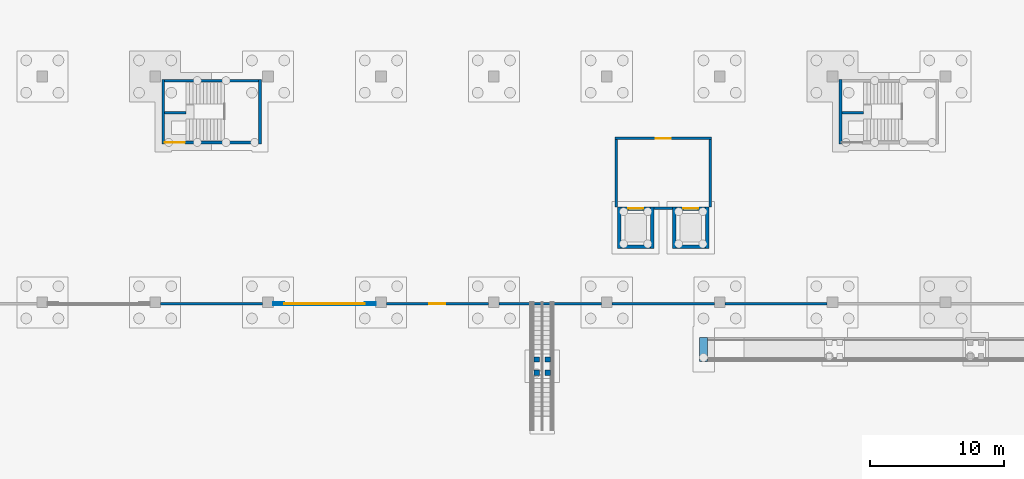
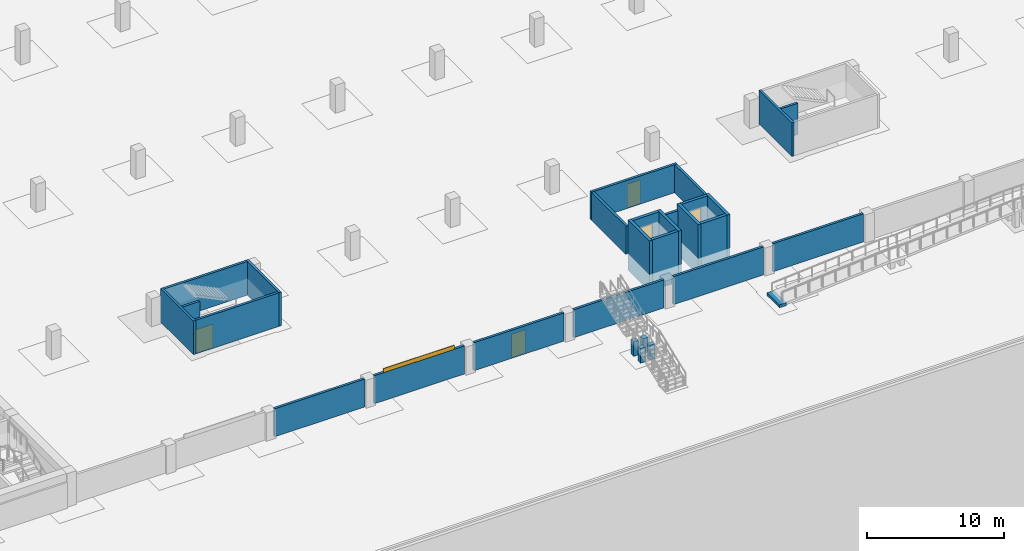
# One storey, part 36 of 67: 30 walls, 6 doors, 6 openings.
"""IFC4 building model written with IfcOpenShell, lengths in metres."""

from ifc_helpers import new_model, si_unit, direction, frame, frame_2d, origin, place, context, subcontext, project, spatial, rectangle, extrude, material, layer, layer_set, type_object, element, fill, save


model = new_model("IFC4")

# Units and contexts
model_context = context("Model", 3, precision=1e-05, world=origin(), true_north=direction((0.0, 1.0)))
body_context = subcontext(model_context, "Body", "Model", "MODEL_VIEW")
ifc_project = project(units=[si_unit("LENGTHUNIT", "METRE"), si_unit("AREAUNIT", "SQUARE_METRE"), si_unit("VOLUMEUNIT", "CUBIC_METRE"), si_unit("PLANEANGLEUNIT", "RADIAN"), si_unit("MASSUNIT", "GRAM", prefix="KILO")], contexts=[model_context])

# Site, building, storey
site_placement = place(None, origin())
site = spatial("IfcSite", under=ifc_project, at=site_placement, CompositionType="ELEMENT")
building_placement = place(site_placement, origin())
building = spatial("IfcBuilding", under=site, at=building_placement, Name="Rain Tree Exposition and Congress Centre", CompositionType="ELEMENT")
storey_placement = place(building_placement, frame((0.0, 0.0, -3.0)))
storey = spatial("IfcBuildingStorey", under=building, at=storey_placement, Name="B1", CompositionType="ELEMENT", Elevation=-3.0)

# Walls
ifc_material_1 = material(Name="Concrete C40/50", Category="concrete")
ifc_layer_1 = layer(ifc_material_1, 0.199951171875)
ifc_layer_set_1 = layer_set([ifc_layer_1], Name="Concrete C40/50")
wall_type_1 = type_object("IfcWallType", Name="Exit stair wall 200", PredefinedType="PARTITIONING", material=ifc_layer_set_1)
for number, where, z_axis, x_axis, name in (
    (1, (67.800048828125, 11.800048828125, 0.0), (0.0, 0.0, 1.0), (0.0, 1.0, 0.0), "Exit stair E1 wall west"),
    (2, (75.0, 11.800048828125, 0.0), (0.0, 0.0, 1.0), (0.0, 1.0, 0.0), "Exit stair E1 wall east"),
):
    element("IfcWall", number, at=place(storey_placement, frame(where, z_axis=z_axis, x_axis=x_axis)), inside=storey, type_object=wall_type_1, Name=name, PredefinedType="SOLIDWALL", context=body_context, shape_type="SweptSolid", body=[
        extrude(rectangle(XDim=4.800048828125, YDim=0.199951171875, at=frame_2d((2.39990234375, 0.0))), origin(), (0.0, 0.0, 1.0), 3.0),
    ])

# Wall, opening, door
wall_1_placement = place(storey_placement, frame((67.89990234375, 11.89990234375, 0.0), z_axis=(0.0, 0.0, 1.0), x_axis=(1.0, 0.0, 0.0)))
wall_1 = element("IfcWall", 3, at=wall_1_placement, inside=storey, type_object=wall_type_1, Name="Exit stair E1 wall south", PredefinedType="SOLIDWALL", context=body_context, shape_type="SweptSolid", body=[
    extrude(rectangle(XDim=7.0, YDim=0.199951171875, at=frame_2d((3.5, 0.0))), origin(), (0.0, 0.0, 1.0), 3.0),
])
opening_1_placement = place(wall_1_placement, origin())
opening_1 = element("IfcOpeningElement", 4, at=opening_1_placement, cuts=wall_1, Name="Opening DS129", PredefinedType="OPENING", context=body_context, shape_type="SweptSolid", body=[
    extrude(rectangle(XDim=1.5, YDim=2.10009765625, at=frame_2d((0.75, 1.050048828125))), frame((0.0, 0.10009765625, 0.0), z_axis=(0.0, -1.0, 0.0), x_axis=(1.0, 0.0, 0.0)), (0.0, 0.0, 1.0), 0.199951171875),
])
ifc_material_2 = material(Name="Powder-coated steel", Category="steel")
door_type_1 = type_object("IfcDoorType", Name="Exit stair door 1500x2100", OperationType="NOTDEFINED", PredefinedType="DOOR", material=ifc_material_2)
door_1_placement = place(opening_1_placement, origin())
door_1 = element("IfcDoor", 5, at=door_1_placement, inside=storey, type_object=door_type_1, Name="Exit stair E1 door B1", OperationType="SINGLE_SWING_LEFT", OverallHeight=2.10009765625, OverallWidth=1.5, PredefinedType="DOOR", context=body_context, shape_type="SweptSolid", body=[
    extrude(rectangle(XDim=1.5, YDim=2.10009765625, at=frame_2d((0.75, 1.050048828125))), frame((0.0, 0.02490234375, 0.0), z_axis=(0.0, -1.0, 0.0), x_axis=(1.0, 0.0, 0.0)), (0.0, 0.0, 1.0), 0.050048828125),
])
fill(opening_1, door_1)

# Walls
wall_2_placement = place(storey_placement, frame((67.89990234375, 16.5, 0.0), z_axis=(0.0, 0.0, 1.0), x_axis=(1.0, 0.0, 0.0)))
element("IfcWall", 6, at=wall_2_placement, inside=storey, type_object=wall_type_1, Name="Exit stair E1 wall north", PredefinedType="SOLIDWALL", context=body_context, shape_type="SweptSolid", body=[
    extrude(rectangle(XDim=7.0, YDim=0.199951171875, at=frame_2d((3.5, 0.0))), origin(), (0.0, 0.0, 1.0), 3.0),
])
wall_3_placement = place(storey_placement, frame((67.89990234375, 14.10009765625, 0.0), z_axis=(0.0, 0.0, 1.0), x_axis=(1.0, 0.0, 0.0)))
element("IfcWall", 7, at=wall_3_placement, inside=storey, type_object=wall_type_1, Name="Exit stair E1 landing support", PredefinedType="SOLIDWALL", context=body_context, shape_type="SweptSolid", body=[
    extrude(rectangle(XDim=1.60009765625, YDim=0.199951171875, at=frame_2d((0.800048828125, 0.0))), origin(), (0.0, 0.0, 1.0), 2.800048828125),
])
wall_4_placement = place(storey_placement, frame((118.199951171875, 11.800048828125, 0.0), z_axis=(0.0, 0.0, 1.0), x_axis=(0.0, 1.0, 0.0)))
element("IfcWall", 8, at=wall_4_placement, inside=storey, type_object=wall_type_1, Name="Exit stair E2 wall west", PredefinedType="SOLIDWALL", context=body_context, shape_type="SweptSolid", body=[
    extrude(rectangle(XDim=4.800048828125, YDim=0.199951171875, at=frame_2d((2.39990234375, 0.0))), origin(), (0.0, 0.0, 1.0), 3.0),
])
wall_5_placement = place(storey_placement, frame((118.300048828125, 14.10009765625, 0.0), z_axis=(0.0, 0.0, 1.0), x_axis=(1.0, 0.0, 0.0)))
element("IfcWall", 9, at=wall_5_placement, inside=storey, type_object=wall_type_1, Name="Exit stair E2 landing support", PredefinedType="SOLIDWALL", context=body_context, shape_type="SweptSolid", body=[
    extrude(rectangle(XDim=1.599853515625, YDim=0.199951171875, at=frame_2d((0.7998046875, 0.0))), origin(), (0.0, 0.0, 1.0), 2.800048828125),
])
ifc_material_3 = material(Name="Concrete C40/50", Category="concrete")
ifc_layer_2 = layer(ifc_material_3, 0.25)
ifc_layer_set_2 = layer_set([ifc_layer_2], Name="Concrete C40/50")
wall_type_2 = type_object("IfcWallType", Name="Lift shaft wall 250", PredefinedType="SHEAR", material=ifc_layer_set_2)
for number, where, z_axis, x_axis, name in (
    (10, (101.72509765625, 4.0, -1.5), (0.0, 0.0, 1.0), (0.0, 1.0, 0.0), "Lift S1 shaft wall west"),
    (11, (104.175048828125, 4.0, -1.5), (0.0, 0.0, 1.0), (0.0, 1.0, 0.0), "Lift S1 shaft wall east"),
):
    element("IfcWall", number, at=place(storey_placement, frame(where, z_axis=z_axis, x_axis=x_axis)), inside=storey, type_object=wall_type_2, Name=name, PredefinedType="SHEAR", context=body_context, shape_type="SweptSolid", body=[
        extrude(rectangle(XDim=3.10009765625, YDim=0.25, at=frame_2d((1.550048828125, 0.0))), origin(), (0.0, 0.0, 1.0), 4.5),
    ])
wall_6_placement = place(storey_placement, frame((101.85009765625, 4.125, -1.5), z_axis=(0.0, 0.0, 1.0), x_axis=(1.0, 0.0, 0.0)))
element("IfcWall", 12, at=wall_6_placement, inside=storey, type_object=wall_type_2, Name="Lift S1 shaft wall south", PredefinedType="SHEAR", context=body_context, shape_type="SweptSolid", body=[
    extrude(rectangle(XDim=2.199951171875, YDim=0.25, at=frame_2d((1.10009765625, 0.0))), origin(), (0.0, 0.0, 1.0), 4.5),
])

# Wall, opening, door
wall_7_placement = place(storey_placement, frame((101.85009765625, 6.97509765625, -1.5), z_axis=(0.0, 0.0, 1.0), x_axis=(1.0, 0.0, 0.0)))
wall_7 = element("IfcWall", 13, at=wall_7_placement, inside=storey, type_object=wall_type_2, Name="Lift S1 shaft wall north", PredefinedType="SHEAR", context=body_context, shape_type="SweptSolid", body=[
    extrude(rectangle(XDim=2.199951171875, YDim=0.25, at=frame_2d((1.10009765625, 0.0))), origin(), (0.0, 0.0, 1.0), 4.5),
])
opening_2_placement = place(wall_7_placement, frame((0.550048828125, 0.0, 1.5)))
opening_2 = element("IfcOpeningElement", 14, at=opening_2_placement, cuts=wall_7, Name="Opening DS101", PredefinedType="OPENING", context=body_context, shape_type="SweptSolid", body=[
    extrude(rectangle(XDim=1.10009765625, YDim=2.10009765625, at=frame_2d((0.550048828125, 1.050048828125))), frame((0.0, 0.125, 0.0), z_axis=(0.0, -1.0, 0.0), x_axis=(1.0, 0.0, 0.0)), (0.0, 0.0, 1.0), 0.25),
])
ifc_material_4 = material(Name="Stainless steel", Category="steel")
door_type_2 = type_object("IfcDoorType", Name="Lift landing door 1100x2100", OperationType="DOUBLE_DOOR_SLIDING", PredefinedType="DOOR", material=ifc_material_4)
door_2_placement = place(opening_2_placement, origin())
door_2 = element("IfcDoor", 15, at=door_2_placement, inside=storey, type_object=door_type_2, Name="Landing door S1 B1", OperationType="DOUBLE_DOOR_SLIDING", OverallHeight=2.10009765625, OverallWidth=1.10009765625, PredefinedType="DOOR", context=body_context, shape_type="SweptSolid", body=[
    extrude(rectangle(XDim=1.10009765625, YDim=2.10009765625, at=frame_2d((0.550048828125, 1.050048828125))), frame((0.0, 0.02490234375, 0.0), z_axis=(0.0, -1.0, 0.0), x_axis=(1.0, 0.0, 0.0)), (0.0, 0.0, 1.0), 0.050048828125),
])
fill(opening_2, door_2)

# Walls
for number, where, z_axis, x_axis, name in (
    (16, (105.824951171875, 4.0, -1.5), (0.0, 0.0, 1.0), (0.0, 1.0, 0.0), "Lift S2 shaft wall west"),
    (17, (108.27490234375, 4.0, -1.5), (0.0, 0.0, 1.0), (0.0, 1.0, 0.0), "Lift S2 shaft wall east"),
):
    element("IfcWall", number, at=place(storey_placement, frame(where, z_axis=z_axis, x_axis=x_axis)), inside=storey, type_object=wall_type_2, Name=name, PredefinedType="SHEAR", context=body_context, shape_type="SweptSolid", body=[
        extrude(rectangle(XDim=3.10009765625, YDim=0.25, at=frame_2d((1.550048828125, 0.0))), origin(), (0.0, 0.0, 1.0), 4.5),
    ])
wall_8_placement = place(storey_placement, frame((105.949951171875, 4.125, -1.5), z_axis=(0.0, 0.0, 1.0), x_axis=(1.0, 0.0, 0.0)))
element("IfcWall", 18, at=wall_8_placement, inside=storey, type_object=wall_type_2, Name="Lift S2 shaft wall south", PredefinedType="SHEAR", context=body_context, shape_type="SweptSolid", body=[
    extrude(rectangle(XDim=2.199951171875, YDim=0.25, at=frame_2d((1.10009765625, 0.0))), origin(), (0.0, 0.0, 1.0), 4.5),
])

# Wall, opening, door
wall_9_placement = place(storey_placement, frame((105.949951171875, 6.97509765625, -1.5), z_axis=(0.0, 0.0, 1.0), x_axis=(1.0, 0.0, 0.0)))
wall_9 = element("IfcWall", 19, at=wall_9_placement, inside=storey, type_object=wall_type_2, Name="Lift S2 shaft wall north", PredefinedType="SHEAR", context=body_context, shape_type="SweptSolid", body=[
    extrude(rectangle(XDim=2.199951171875, YDim=0.25, at=frame_2d((1.10009765625, 0.0))), origin(), (0.0, 0.0, 1.0), 4.5),
])
opening_3_placement = place(wall_9_placement, frame((0.550048828125, 0.0, 1.5)))
opening_3 = element("IfcOpeningElement", 20, at=opening_3_placement, cuts=wall_9, Name="Opening DS103", PredefinedType="OPENING", context=body_context, shape_type="SweptSolid", body=[
    extrude(rectangle(XDim=1.10009765625, YDim=2.10009765625, at=frame_2d((0.550048828125, 1.050048828125))), frame((0.0, 0.125, 0.0), z_axis=(0.0, -1.0, 0.0), x_axis=(1.0, 0.0, 0.0)), (0.0, 0.0, 1.0), 0.25),
])
door_3_placement = place(opening_3_placement, origin())
door_3 = element("IfcDoor", 21, at=door_3_placement, inside=storey, type_object=door_type_2, Name="Landing door S2 B1", OperationType="DOUBLE_DOOR_SLIDING", OverallHeight=2.10009765625, OverallWidth=1.10009765625, PredefinedType="DOOR", context=body_context, shape_type="SweptSolid", body=[
    extrude(rectangle(XDim=1.10009765625, YDim=2.10009765625, at=frame_2d((0.550048828125, 1.050048828125))), frame((0.0, 0.02490234375, 0.0), z_axis=(0.0, -1.0, 0.0), x_axis=(1.0, 0.0, 0.0)), (0.0, 0.0, 1.0), 0.050048828125),
])
fill(opening_3, door_3)

# Walls
ifc_material_5 = material(Name="Concrete C40/50", Category="concrete")
ifc_layer_3 = layer(ifc_material_5, 0.199951171875)
ifc_layer_set_3 = layer_set([ifc_layer_3], Name="Concrete C40/50")
wall_type_3 = type_object("IfcWallType", Name="Lobby wall 200", PredefinedType="PARTITIONING", material=ifc_layer_set_3)
for number, where, z_axis, x_axis, name in (
    (22, (101.5, 7.10009765625, 0.0), (0.0, 0.0, 1.0), (0.0, 1.0, 0.0), "Lift lobby wall west"),
    (23, (108.5, 7.10009765625, 0.0), (0.0, 0.0, 1.0), (0.0, 1.0, 0.0), "Lift lobby wall east"),
):
    element("IfcWall", number, at=place(storey_placement, frame(where, z_axis=z_axis, x_axis=x_axis)), inside=storey, type_object=wall_type_3, Name=name, PredefinedType="PARTITIONING", context=body_context, shape_type="SweptSolid", body=[
        extrude(rectangle(XDim=5.0, YDim=0.199951171875, at=frame_2d((2.5, 0.0))), origin(), (0.0, 0.0, 1.0), 2.5),
    ])

# Wall, opening, door
wall_10_placement = place(storey_placement, frame((101.39990234375, 12.199951171875, 0.0), z_axis=(0.0, 0.0, 1.0), x_axis=(1.0, 0.0, 0.0)))
wall_10 = element("IfcWall", 24, at=wall_10_placement, inside=storey, type_object=wall_type_3, Name="Lift lobby wall north", PredefinedType="PARTITIONING", context=body_context, shape_type="SweptSolid", body=[
    extrude(rectangle(XDim=7.2001953125, YDim=0.199951171875, at=frame_2d((3.60009765625, 0.0))), origin(), (0.0, 0.0, 1.0), 2.5),
])
opening_4_placement = place(wall_10_placement, frame((3.050048828125, 0.0, 0.0)))
opening_4 = element("IfcOpeningElement", 25, at=opening_4_placement, cuts=wall_10, Name="Opening DS109", PredefinedType="OPENING", context=body_context, shape_type="SweptSolid", body=[
    extrude(rectangle(XDim=1.10009765625, YDim=2.10009765625, at=frame_2d((0.550048828125, 1.050048828125))), frame((0.0, 0.10009765625, 0.0), z_axis=(0.0, -1.0, 0.0), x_axis=(1.0, 0.0, 0.0)), (0.0, 0.0, 1.0), 0.199951171875),
])
ifc_material_6 = material(Name="Powder-coated steel", Category="steel")
door_type_3 = type_object("IfcDoorType", Name="Fire door 1100x2100", OperationType="NOTDEFINED", PredefinedType="DOOR", material=ifc_material_6)
door_4_placement = place(opening_4_placement, origin())
door_4 = element("IfcDoor", 26, at=door_4_placement, inside=storey, type_object=door_type_3, Name="Lift lobby door", OperationType="SINGLE_SWING_LEFT", OverallHeight=2.10009765625, OverallWidth=1.10009765625, PredefinedType="DOOR", context=body_context, shape_type="SweptSolid", body=[
    extrude(rectangle(XDim=1.10009765625, YDim=2.10009765625, at=frame_2d((0.550048828125, 1.050048828125))), frame((0.0, 0.02490234375, 0.0), z_axis=(0.0, -1.0, 0.0), x_axis=(1.0, 0.0, 0.0)), (0.0, 0.0, 1.0), 0.050048828125),
])
fill(opening_4, door_4)

# Walls
wall_11_placement = place(storey_placement, frame((104.300048828125, 7.0, 0.0), z_axis=(0.0, 0.0, 1.0), x_axis=(1.0, 0.0, 0.0)))
element("IfcWall", 27, at=wall_11_placement, inside=storey, type_object=wall_type_3, Name="Lift lobby wall between shafts", PredefinedType="PARTITIONING", context=body_context, shape_type="SweptSolid", body=[
    extrude(rectangle(XDim=1.39990234375, YDim=0.199951171875, at=frame_2d((0.699951171875, 0.0))), origin(), (0.0, 0.0, 1.0), 2.5),
])
ifc_material_7 = material(Name="Precast concrete C40/50", Category="concrete")
ifc_layer_4 = layer(ifc_material_7, 0.199951171875)
ifc_layer_set_4 = layer_set([ifc_layer_4], Name="Precast concrete C40/50")
wall_type_4 = type_object("IfcWallType", Name="Louvred precast panel 200", PredefinedType="SOLIDWALL", material=ifc_layer_set_4)
wall_12_placement = place(storey_placement, frame((67.60009765625, -0.10009765625, 0.0), z_axis=(0.0, 0.0, 1.0), x_axis=(1.0, 0.0, 0.0)))
element("IfcWall", 28, at=wall_12_placement, inside=storey, type_object=wall_type_4, Name="Car park louvre panel 3", PredefinedType="SOLIDWALL", context=body_context, shape_type="SweptSolid", body=[
    extrude(rectangle(XDim=7.599853515625, YDim=0.199951171875, at=frame_2d((3.7998046875, 0.0))), origin(), (0.0, 0.0, 1.0), 2.5),
])

# Wall, opening, door
wall_13_placement = place(storey_placement, frame((76.0, -0.10009765625, 0.0), z_axis=(0.0, 0.0, 1.0), x_axis=(1.0, 0.0, 0.0)))
wall_13 = element("IfcWall", 29, at=wall_13_placement, inside=storey, type_object=wall_type_4, Name="Car park louvre panel 4", PredefinedType="SOLIDWALL", context=body_context, shape_type="SweptSolid", body=[
    extrude(rectangle(XDim=7.60009765625, YDim=0.199951171875, at=frame_2d((3.800048828125, 0.0))), origin(), (0.0, 0.0, 1.0), 2.5),
])
opening_5_placement = place(wall_13_placement, frame((0.800048828125, 0.0, 0.0)))
opening_5 = element("IfcOpeningElement", 30, at=opening_5_placement, cuts=wall_13, Name="Opening DS107", PredefinedType="OPENING", context=body_context, shape_type="SweptSolid", body=[
    extrude(rectangle(XDim=6.0, YDim=2.800048828125, at=frame_2d((3.0, 1.39990234375))), frame((0.0, 0.10009765625, 0.0), z_axis=(0.0, -1.0, 0.0), x_axis=(1.0, 0.0, 0.0)), (0.0, 0.0, 1.0), 0.199951171875),
])
ifc_material_8 = material(Name="Powder-coated steel", Category="steel")
door_type_4 = type_object("IfcDoorType", Name="Vehicle roller gate 6000x2800", OperationType="SLIDING_TO_LEFT", PredefinedType="GATE", material=ifc_material_8)
door_5_placement = place(opening_5_placement, origin())
door_5 = element("IfcDoor", 31, at=door_5_placement, inside=storey, type_object=door_type_4, Name="Vehicle gate 4", OperationType="SLIDING_TO_LEFT", OverallHeight=2.800048828125, OverallWidth=6.0, PredefinedType="GATE", context=body_context, shape_type="SweptSolid", body=[
    extrude(rectangle(XDim=6.0, YDim=2.800048828125, at=frame_2d((3.0, 1.39990234375))), frame((0.0, 0.02490234375, 0.0), z_axis=(0.0, -1.0, 0.0), x_axis=(1.0, 0.0, 0.0)), (0.0, 0.0, 1.0), 0.050048828125),
])
fill(opening_5, door_5)

wall_14_placement = place(storey_placement, frame((84.39990234375, -0.10009765625, 0.0), z_axis=(0.0, 0.0, 1.0), x_axis=(1.0, 0.0, 0.0)))
wall_14 = element("IfcWall", 32, at=wall_14_placement, inside=storey, type_object=wall_type_4, Name="Car park louvre panel 5", PredefinedType="SOLIDWALL", context=body_context, shape_type="SweptSolid", body=[
    extrude(rectangle(XDim=7.60009765625, YDim=0.199951171875, at=frame_2d((3.800048828125, 0.0))), origin(), (0.0, 0.0, 1.0), 2.5),
])
opening_6_placement = place(wall_14_placement, frame((3.199951171875, 0.0, 0.0)))
opening_6 = element("IfcOpeningElement", 33, at=opening_6_placement, cuts=wall_14, Name="Opening DS108", PredefinedType="OPENING", context=body_context, shape_type="SweptSolid", body=[
    extrude(rectangle(XDim=1.199951171875, YDim=2.10009765625, at=frame_2d((0.60009765625, 1.050048828125))), frame((0.0, 0.10009765625, 0.0), z_axis=(0.0, -1.0, 0.0), x_axis=(1.0, 0.0, 0.0)), (0.0, 0.0, 1.0), 0.199951171875),
])
ifc_material_9 = material(Name="Powder-coated steel", Category="steel")
door_type_5 = type_object("IfcDoorType", Name="Car park pedestrian door 1200x2100", OperationType="NOTDEFINED", PredefinedType="DOOR", material=ifc_material_9)
door_6_placement = place(opening_6_placement, origin())
door_6 = element("IfcDoor", 34, at=door_6_placement, inside=storey, type_object=door_type_5, Name="Pedestrian door 5", OperationType="SINGLE_SWING_LEFT", OverallHeight=2.10009765625, OverallWidth=1.199951171875, PredefinedType="DOOR", context=body_context, shape_type="SweptSolid", body=[
    extrude(rectangle(XDim=1.199951171875, YDim=2.10009765625, at=frame_2d((0.60009765625, 1.050048828125))), frame((0.0, 0.02490234375, 0.0), z_axis=(0.0, -1.0, 0.0), x_axis=(1.0, 0.0, 0.0)), (0.0, 0.0, 1.0), 0.050048828125),
])
fill(opening_6, door_6)

# Walls
wall_15_placement = place(storey_placement, frame((92.800048828125, -0.10009765625, 0.0), z_axis=(0.0, 0.0, 1.0), x_axis=(1.0, 0.0, 0.0)))
element("IfcWall", 35, at=wall_15_placement, inside=storey, type_object=wall_type_4, Name="Car park louvre panel 6", PredefinedType="SOLIDWALL", context=body_context, shape_type="SweptSolid", body=[
    extrude(rectangle(XDim=7.599853515625, YDim=0.199951171875, at=frame_2d((3.7998046875, 0.0))), origin(), (0.0, 0.0, 1.0), 2.5),
])
wall_16_placement = place(storey_placement, frame((101.199951171875, -0.10009765625, 0.0), z_axis=(0.0, 0.0, 1.0), x_axis=(1.0, 0.0, 0.0)))
element("IfcWall", 36, at=wall_16_placement, inside=storey, type_object=wall_type_4, Name="Car park louvre panel 7", PredefinedType="SOLIDWALL", context=body_context, shape_type="SweptSolid", body=[
    extrude(rectangle(XDim=7.60009765625, YDim=0.199951171875, at=frame_2d((3.800048828125, 0.0))), origin(), (0.0, 0.0, 1.0), 2.5),
])
wall_17_placement = place(storey_placement, frame((109.60009765625, -0.10009765625, 0.0), z_axis=(0.0, 0.0, 1.0), x_axis=(1.0, 0.0, 0.0)))
element("IfcWall", 37, at=wall_17_placement, inside=storey, type_object=wall_type_4, Name="Car park louvre panel 8", PredefinedType="SOLIDWALL", context=body_context, shape_type="SweptSolid", body=[
    extrude(rectangle(XDim=7.599853515625, YDim=0.199951171875, at=frame_2d((3.7998046875, 0.0))), origin(), (0.0, 0.0, 1.0), 2.5),
])
ifc_material_10 = material(Name="Concrete C40/50", Category="concrete")
ifc_layer_5 = layer(ifc_material_10, 0.60009765625)
ifc_layer_set_5 = layer_set([ifc_layer_5], Name="Concrete C40/50")
wall_type_5 = type_object("IfcWallType", Name="Ramp starting kerb 600", PredefinedType="SOLIDWALL", material=ifc_layer_set_5)
wall_18_placement = place(storey_placement, frame((108.0, -4.39990234375, 0.0), z_axis=(0.0, 0.0, 1.0), x_axis=(0.0, 1.0, 0.0)))
element("IfcWall", 38, at=wall_18_placement, inside=storey, type_object=wall_type_5, Name="Ramp starting kerb", PredefinedType="SOLIDWALL", context=body_context, shape_type="SweptSolid", body=[
    extrude(rectangle(XDim=1.7998046875, YDim=0.60009765625, at=frame_2d((0.89990234375, 0.0))), origin(), (0.0, 0.0, 1.0), 0.260009765625),
])
ifc_material_11 = material(Name="Concrete C40/50", Category="concrete")
ifc_layer_6 = layer(ifc_material_11, 0.39990234375)
ifc_layer_set_6 = layer_set([ifc_layer_6], Name="Concrete C40/50")
wall_type_6 = type_object("IfcWallType", Name="Stair support wall 400", PredefinedType="SOLIDWALL", material=ifc_layer_set_6)
for number, where, z_axis, x_axis, name in (
    (39, (95.39990234375, -5.25, 0.0), (0.0, 0.0, 1.0), (1.0, 0.0, 0.0), "Stair landing support 1"),
    (40, (96.199951171875, -5.25, 0.0), (0.0, 0.0, 1.0), (1.0, 0.0, 0.0), "Stair landing support 2"),
    (41, (95.39990234375, -4.25, 0.0), (0.0, 0.0, 1.0), (1.0, 0.0, 0.0), "Stair landing support 3"),
    (42, (96.199951171875, -4.25, 0.0), (0.0, 0.0, 1.0), (1.0, 0.0, 0.0), "Stair landing support 4"),
):
    element("IfcWall", number, at=place(storey_placement, frame(where, z_axis=z_axis, x_axis=x_axis)), inside=storey, type_object=wall_type_6, Name=name, PredefinedType="SOLIDWALL", context=body_context, shape_type="SweptSolid", body=[
        extrude(rectangle(XDim=0.400146484375, YDim=0.39990234375, at=frame_2d((0.2001953125, 0.0))), origin(), (0.0, 0.0, 1.0), 1.300048828125),
    ])

save(model, "model.ifc")
